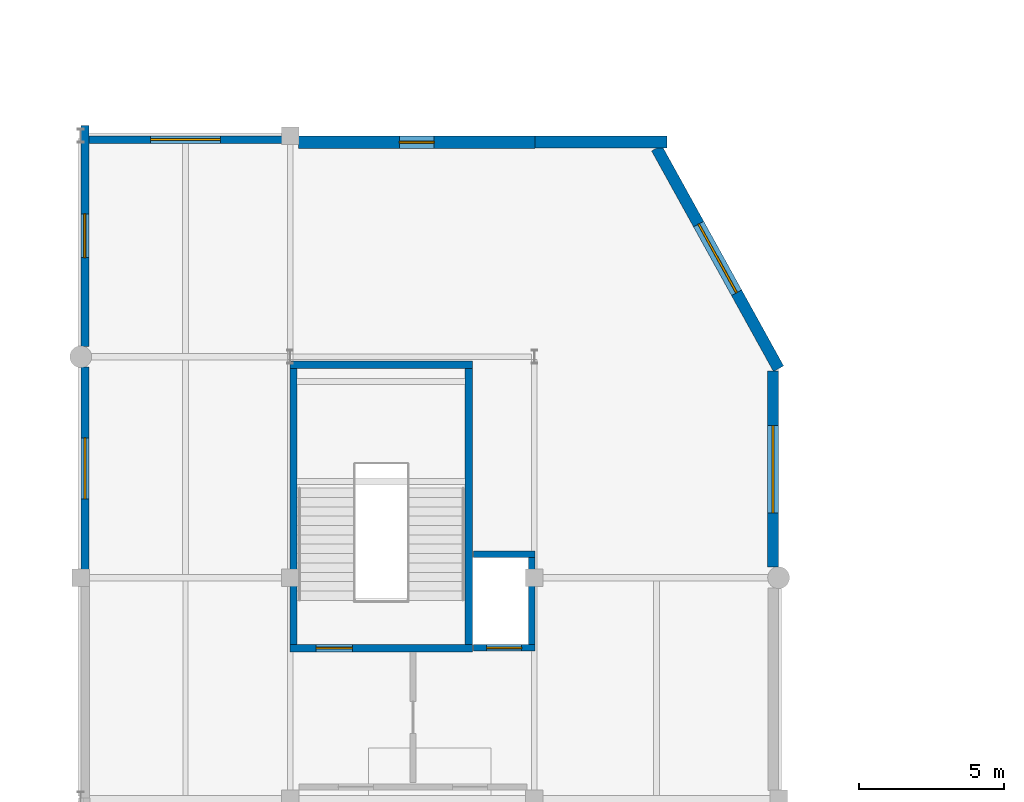
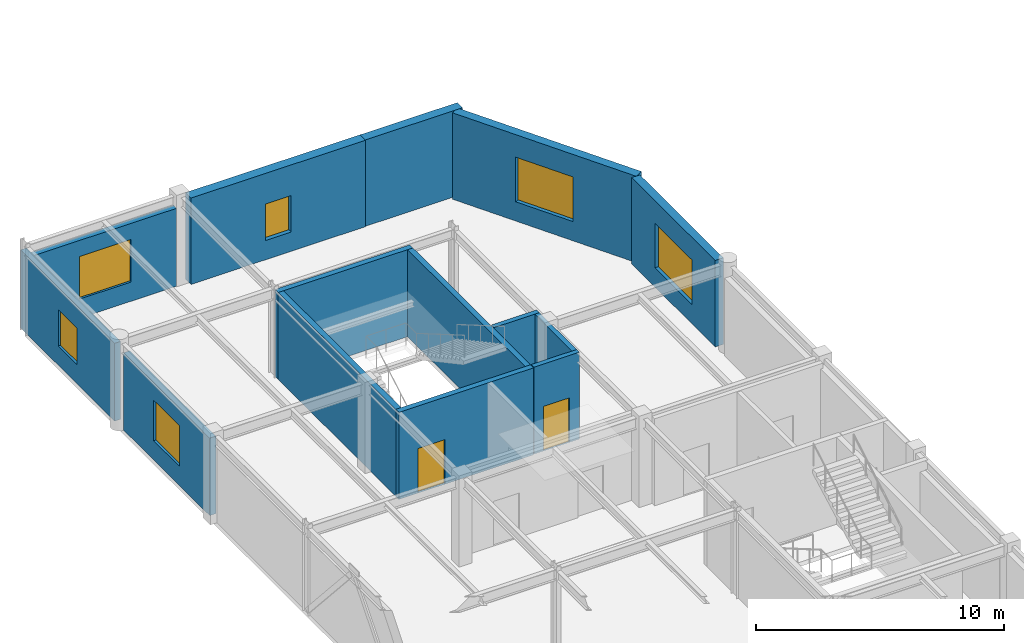
# One storey, part 22 of 28: 14 walls, 6 windows, 2 doors, 8 openings.
"""IFC4 building model written with IfcOpenShell, lengths in metres."""

from ifc_helpers import new_model, si_unit, direction, frame, frame_2d, origin, place, context, subcontext, project, spatial, rectangle, extrude, material, layer, layer_set, type_object, element, fill, save


model = new_model("IFC4")

# Units and contexts
model_context = context("Model", 3, precision=1e-05, world=origin(), true_north=direction((0.0, 1.0)))
body_context = subcontext(model_context, "Body", "Model", "MODEL_VIEW")
ifc_project = project(units=[si_unit("LENGTHUNIT", "METRE"), si_unit("AREAUNIT", "SQUARE_METRE"), si_unit("VOLUMEUNIT", "CUBIC_METRE"), si_unit("PLANEANGLEUNIT", "RADIAN"), si_unit("MASSUNIT", "GRAM", prefix="KILO")], contexts=[model_context])

# Site, building, storey
site_placement = place(None, origin())
site = spatial("IfcSite", under=ifc_project, at=site_placement, CompositionType="ELEMENT")
building_placement = place(site_placement, origin())
building = spatial("IfcBuilding", under=site, at=building_placement, Name="Xicomal Pleat Aquarium", CompositionType="ELEMENT")
storey_placement = place(building_placement, frame((0.0, 0.0, 15.300048828125)))
storey = spatial("IfcBuildingStorey", under=building, at=storey_placement, Name="L04", CompositionType="ELEMENT", Elevation=15.300048828125)

# Wall, opening, door
ifc_material_1 = material(Name="Concrete C40/50", Category="concrete")
ifc_layer_1 = layer(ifc_material_1, 0.219970703125)
ifc_layer_set_1 = layer_set([ifc_layer_1], Name="Concrete C40/50")
wall_type_1 = type_object("IfcWallType", Name="WAL-COR-220", PredefinedType="SHEAR", material=ifc_layer_set_1)
wall_1_placement = place(storey_placement, frame((16.5, 65.989990234375, 0.0), z_axis=(0.0, 0.0, 1.0), x_axis=(1.0, 0.0, 0.0)))
wall_1 = element("IfcWall", 1, at=wall_1_placement, inside=storey, type_object=wall_type_1, Name="L04 LF-03 lift shaft wall CW-L04-C3-LS", PredefinedType="SHEAR", context=body_context, shape_type="SweptSolid", body=[
    extrude(rectangle(XDim=2.1201171875, YDim=0.219970703125, at=frame_2d((1.06005859375, 0.0))), origin(), (0.0, 0.0, 1.0), 4.2900390625),
])
opening_1_placement = place(wall_1_placement, frame((0.4599609375, 0.0, 0.0)))
opening_1 = element("IfcOpeningElement", 2, at=opening_1_placement, cuts=wall_1, Name="Opening LD-03-L04", PredefinedType="OPENING", context=body_context, shape_type="SweptSolid", body=[
    extrude(rectangle(XDim=1.199951171875, YDim=2.199951171875, at=frame_2d((0.60009765625, 1.10009765625))), frame((0.0, 0.119873046875, 0.0), z_axis=(0.0, -1.0, 0.0), x_axis=(1.0, 0.0, 0.0)), (0.0, 0.0, 1.0), 0.239990234375),
])
ifc_material_2 = material(Name="Brushed stainless steel 304", Category="steel")
door_type_1 = type_object("IfcDoorType", Name="DOR-LD-1200x2200", OperationType="DOUBLE_DOOR_SLIDING", PredefinedType="DOOR", material=ifc_material_2)
door_1_placement = place(opening_1_placement, origin())
door_1 = element("IfcDoor", 3, at=door_1_placement, inside=storey, type_object=door_type_1, Name="L04 LF-03 sliding lift landing door", OperationType="DOUBLE_DOOR_SLIDING", OverallHeight=2.199951171875, OverallWidth=1.199951171875, PredefinedType="DOOR", context=body_context, shape_type="SweptSolid", body=[
    extrude(rectangle(XDim=1.199951171875, YDim=2.199951171875, at=frame_2d((0.60009765625, 1.10009765625))), frame((0.0, 0.02490234375, 0.0), z_axis=(0.0, -1.0, 0.0), x_axis=(1.0, 0.0, 0.0)), (0.0, 0.0, 1.0), 0.050048828125),
])
fill(opening_1, door_1)

# Walls
wall_2_placement = place(storey_placement, frame((16.5, 69.2099609375, 0.0), z_axis=(0.0, 0.0, 1.0), x_axis=(1.0, 0.0, 0.0)))
element("IfcWall", 4, at=wall_2_placement, inside=storey, type_object=wall_type_1, Name="L04 LF-03 lift shaft wall CW-L04-C3-LN", PredefinedType="SHEAR", context=body_context, shape_type="SweptSolid", body=[
    extrude(rectangle(XDim=2.1201171875, YDim=0.219970703125, at=frame_2d((1.06005859375, 0.0))), origin(), (0.0, 0.0, 1.0), 4.2900390625),
])
wall_3_placement = place(storey_placement, frame((18.510009765625, 66.10009765625, 0.0), z_axis=(0.0, 0.0, 1.0), x_axis=(0.0, 1.0, 0.0)))
element("IfcWall", 5, at=wall_3_placement, inside=storey, type_object=wall_type_1, Name="L04 LF-03 lift shaft wall CW-L04-C3-LE", PredefinedType="SHEAR", context=body_context, shape_type="SweptSolid", body=[
    extrude(rectangle(XDim=3.0, YDim=0.219970703125, at=frame_2d((1.5, 0.0))), origin(), (0.0, 0.0, 1.0), 4.2900390625),
])

# Wall, opening, door
ifc_material_3 = material(Name="Concrete C40/50", Category="concrete")
ifc_layer_2 = layer(ifc_material_3, 0.25)
ifc_layer_set_2 = layer_set([ifc_layer_2], Name="Concrete C40/50")
wall_type_2 = type_object("IfcWallType", Name="WAL-COR-250", PredefinedType="SHEAR", material=ifc_layer_set_2)
wall_4_placement = place(storey_placement, frame((10.18994140625, 65.97509765625, 0.0), z_axis=(0.0, 0.0, 1.0), x_axis=(1.0, 0.0, 0.0)))
wall_4 = element("IfcWall", 6, at=wall_4_placement, inside=storey, type_object=wall_type_2, Name="L04 CORE-3 stair shear wall CW-L04-C3-SS", PredefinedType="SHEAR", context=body_context, shape_type="SweptSolid", body=[
    extrude(rectangle(XDim=6.280029296875, YDim=0.25, at=frame_2d((3.14013671875, 0.0))), origin(), (0.0, 0.0, 1.0), 4.2900390625),
])
opening_2_placement = place(wall_4_placement, frame((0.89990234375, 0.0, 0.0)))
opening_2 = element("IfcOpeningElement", 7, at=opening_2_placement, cuts=wall_4, Name="Opening SD-03-L04", PredefinedType="OPENING", context=body_context, shape_type="SweptSolid", body=[
    extrude(rectangle(XDim=1.25, YDim=2.199951171875, at=frame_2d((0.625, 1.10009765625))), frame((0.0, 0.135009765625, 0.0), z_axis=(0.0, -1.0, 0.0), x_axis=(1.0, 0.0, 0.0)), (0.0, 0.0, 1.0), 0.27001953125),
])
ifc_material_4 = material(Name="Powder-coated steel fire door", Category="steel")
door_type_2 = type_object("IfcDoorType", Name="DOR-ST-1250x2200", OperationType="NOTDEFINED", PredefinedType="DOOR", material=ifc_material_4)
door_2_placement = place(opening_2_placement, origin())
door_2 = element("IfcDoor", 8, at=door_2_placement, inside=storey, type_object=door_type_2, Name="L04 ST-03 protected stair door", OperationType="SINGLE_SWING_LEFT", OverallHeight=2.199951171875, OverallWidth=1.25, PredefinedType="DOOR", context=body_context, shape_type="SweptSolid", body=[
    extrude(rectangle(XDim=1.25, YDim=2.199951171875, at=frame_2d((0.625, 1.10009765625))), frame((0.0, 0.02490234375, 0.0), z_axis=(0.0, -1.0, 0.0), x_axis=(1.0, 0.0, 0.0)), (0.0, 0.0, 1.0), 0.050048828125),
])
fill(opening_2, door_2)

# Walls
wall_5_placement = place(storey_placement, frame((10.18994140625, 75.72509765625, 0.0), z_axis=(0.0, 0.0, 1.0), x_axis=(1.0, 0.0, 0.0)))
element("IfcWall", 9, at=wall_5_placement, inside=storey, type_object=wall_type_2, Name="L04 CORE-3 stair shear wall CW-L04-C3-SN", PredefinedType="SHEAR", context=body_context, shape_type="SweptSolid", body=[
    extrude(rectangle(XDim=6.280029296875, YDim=0.25, at=frame_2d((3.14013671875, 0.0))), origin(), (0.0, 0.0, 1.0), 4.2900390625),
])
for number, where, z_axis, x_axis, name in (
    (10, (10.31494140625, 66.10009765625, 0.0), (0.0, 0.0, 1.0), (0.0, 1.0, 0.0), "L04 CORE-3 stair shear wall CW-L04-C3-SW"),
    (11, (16.344970703125, 66.10009765625, 0.0), (0.0, 0.0, 1.0), (0.0, 1.0, 0.0), "L04 CORE-3 stair shear wall CW-L04-C3-SE"),
):
    element("IfcWall", number, at=place(storey_placement, frame(where, z_axis=z_axis, x_axis=x_axis)), inside=storey, type_object=wall_type_2, Name=name, PredefinedType="SHEAR", context=body_context, shape_type="SweptSolid", body=[
        extrude(rectangle(XDim=9.5, YDim=0.25, at=frame_2d((4.75, 0.0))), origin(), (0.0, 0.0, 1.0), 4.2900390625),
    ])

# Wall, opening, window
ifc_material_5 = material(Name="Volcanic basalt recinto masonry and concrete C40/50", Category="masonry")
ifc_layer_3 = layer(ifc_material_5, 0.3798828125)
ifc_layer_set_3 = layer_set([ifc_layer_3], Name="Volcanic basalt recinto masonry and concrete C40/50")
wall_type_3 = type_object("IfcWallType", Name="WAL-EXT-BAS-380", PredefinedType="SOLIDWALL", material=ifc_layer_set_3)
wall_6_placement = place(storey_placement, frame((26.81005859375, 75.506103515625, 0.0), z_axis=(0.0, 0.0, 1.0), x_axis=(0.0, -1.0, 0.0)))
wall_6 = element("IfcWall", 12, at=wall_6_placement, inside=storey, type_object=wall_type_3, Name="L04 exterior basalt-precast wall EW-L04-051B", PredefinedType="SOLIDWALL", context=body_context, shape_type="SweptSolid", body=[
    extrude(rectangle(XDim=6.74609375, YDim=0.3798828125, at=frame_2d((3.373046875, 0.0))), origin(), (0.0, 0.0, 1.0), 4.260009765625),
])
opening_3_placement = place(wall_6_placement, frame((1.873046875, 0.0, 0.949951171875)))
opening_3 = element("IfcOpeningElement", 13, at=opening_3_placement, cuts=wall_6, Name="Opening WN-08", PredefinedType="OPENING", context=body_context, shape_type="SweptSolid", body=[
    extrude(rectangle(XDim=3.0, YDim=2.199951171875, at=frame_2d((1.5, 1.10009765625))), frame((0.0, 0.199951171875, 0.0), z_axis=(0.0, -1.0, 0.0), x_axis=(1.0, 0.0, 0.0)), (0.0, 0.0, 1.0), 0.39990234375),
])
ifc_material_6 = material(Name="Insulated low-E laminated glass", Category="glass")
window_type_1 = type_object("IfcWindowType", Name="WIN-EXT-3000x2200", PartitioningType="DOUBLE_PANEL_VERTICAL", PredefinedType="WINDOW", material=ifc_material_6)
window_1_placement = place(opening_3_placement, origin())
window_1 = element("IfcWindow", 14, at=window_1_placement, inside=storey, type_object=window_type_1, Name="L04 thermally broken low-E window 79", OverallHeight=2.199951171875, OverallWidth=3.0, PartitioningType="SINGLE_PANEL", PredefinedType="WINDOW", context=body_context, shape_type="SweptSolid", body=[
    extrude(rectangle(XDim=3.0, YDim=2.199951171875, at=frame_2d((1.5, 1.10009765625))), frame((0.0, 0.030029296875, 0.0), z_axis=(0.0, -1.0, 0.0), x_axis=(1.0, 0.0, 0.0)), (0.0, 0.0, 1.0), 0.06005859375),
])
fill(opening_3, window_1)

ifc_material_7 = material(Name="Volcanic basalt recinto masonry and concrete C40/50", Category="masonry")
ifc_layer_4 = layer(ifc_material_7, 0.39990234375)
ifc_layer_set_4 = layer_set([ifc_layer_4], Name="Volcanic basalt recinto masonry and concrete C40/50")
wall_type_4 = type_object("IfcWallType", Name="WAL-EXT-BAS-400", PredefinedType="SOLIDWALL", material=ifc_layer_set_4)
wall_7_placement = place(storey_placement, frame((22.805908203125, 83.175048828125, 0.0), z_axis=(0.0, 0.0, 1.0), x_axis=(0.483704847277, -0.8752311813, 0.0)))
wall_7 = element("IfcWall", 15, at=wall_7_placement, inside=storey, type_object=wall_type_4, Name="L04 exterior basalt-precast wall EW-L04-050B", PredefinedType="SOLIDWALL", context=body_context, shape_type="SweptSolid", body=[
    extrude(rectangle(XDim=8.668701171875, YDim=0.39990234375, at=frame_2d((4.33447265625, 0.0))), origin(), (0.0, 0.0, 1.0), 4.260009765625),
])
opening_4_placement = place(wall_7_placement, frame((2.98388671875, 0.0, 0.949951171875)))
opening_4 = element("IfcOpeningElement", 16, at=opening_4_placement, cuts=wall_7, Name="Opening WN-07", PredefinedType="OPENING", context=body_context, shape_type="SweptSolid", body=[
    extrude(rectangle(XDim=2.699951171875, YDim=2.199951171875, at=frame_2d((1.35009765625, 1.10009765625))), frame((0.0, 0.2099609375, 0.0), z_axis=(0.0, -1.0, 0.0), x_axis=(1.0, 0.0, 0.0)), (0.0, 0.0, 1.0), 0.419921875),
])
ifc_material_8 = material(Name="Insulated low-E laminated glass", Category="glass")
window_type_2 = type_object("IfcWindowType", Name="WIN-EXT-2700x2200", PartitioningType="DOUBLE_PANEL_VERTICAL", PredefinedType="WINDOW", material=ifc_material_8)
window_2_placement = place(opening_4_placement, origin())
window_2 = element("IfcWindow", 17, at=window_2_placement, inside=storey, type_object=window_type_2, Name="L04 thermally broken low-E window 78", OverallHeight=2.199951171875, OverallWidth=2.699951171875, PartitioningType="SINGLE_PANEL", PredefinedType="WINDOW", context=body_context, shape_type="SweptSolid", body=[
    extrude(rectangle(XDim=2.699951171875, YDim=2.199951171875, at=frame_2d((1.35009765625, 1.10009765625))), frame((0.0, 0.030029296875, 0.0), z_axis=(0.0, -1.0, 0.0), x_axis=(1.0, 0.0, 0.0)), (0.0, 0.0, 1.0), 0.06005859375),
])
fill(opening_4, window_2)

# Wall
ifc_material_9 = material(Name="Volcanic basalt recinto masonry and concrete C40/50", Category="masonry")
ifc_layer_5 = layer(ifc_material_9, 0.419921875)
ifc_layer_set_5 = layer_set([ifc_layer_5], Name="Volcanic basalt recinto masonry and concrete C40/50")
wall_type_5 = type_object("IfcWallType", Name="WAL-EXT-BAS-420", PredefinedType="SOLIDWALL", material=ifc_layer_set_5)
wall_8_placement = place(storey_placement, frame((18.6201171875, 83.389892578125, 0.0), z_axis=(0.0, 0.0, 1.0), x_axis=(1.0, 0.0, 0.0)))
element("IfcWall", 18, at=wall_8_placement, inside=storey, type_object=wall_type_5, Name="L04 exterior basalt-precast wall EW-L04-049", PredefinedType="SOLIDWALL", context=body_context, shape_type="SweptSolid", body=[
    extrude(rectangle(XDim=4.539794921875, YDim=0.419921875, at=frame_2d((2.27001953125, 0.0))), origin(), (0.0, 0.0, 1.0), 4.260009765625),
])

# Wall, opening, window
ifc_material_10 = material(Name="Volcanic basalt recinto masonry and concrete C40/50", Category="masonry")
ifc_layer_6 = layer(ifc_material_10, 0.445068359375)
ifc_layer_set_6 = layer_set([ifc_layer_6], Name="Volcanic basalt recinto masonry and concrete C40/50")
wall_type_6 = type_object("IfcWallType", Name="WAL-EXT-BAS-445", PredefinedType="SOLIDWALL", material=ifc_layer_set_6)
wall_9_placement = place(storey_placement, frame((10.485107421875, 83.376953125, 0.0), z_axis=(0.0, 0.0, 1.0), x_axis=(1.0, 0.0, 0.0)))
wall_9 = element("IfcWall", 19, at=wall_9_placement, inside=storey, type_object=wall_type_6, Name="L04 exterior basalt-precast wall EW-L04-048", PredefinedType="SOLIDWALL", context=body_context, shape_type="SweptSolid", body=[
    extrude(rectangle(XDim=8.135009765625, YDim=0.445068359375, at=frame_2d((4.0673828125, 0.0))), origin(), (0.0, 0.0, 1.0), 4.260009765625),
])
opening_5_placement = place(wall_9_placement, frame((3.468017578125, 0.0, 0.949951171875)))
opening_5 = element("IfcOpeningElement", 20, at=opening_5_placement, cuts=wall_9, Name="Opening WN-01", PredefinedType="OPENING", context=body_context, shape_type="SweptSolid", body=[
    extrude(rectangle(XDim=1.199951171875, YDim=1.800048828125, at=frame_2d((0.60009765625, 0.89990234375))), frame((0.0, 0.232421875, 0.0), z_axis=(0.0, -1.0, 0.0), x_axis=(1.0, 0.0, 0.0)), (0.0, 0.0, 1.0), 0.465087890625),
])
ifc_material_11 = material(Name="Insulated low-E laminated glass", Category="glass")
window_type_3 = type_object("IfcWindowType", Name="WIN-EXT-1200x1800", PartitioningType="SINGLE_PANEL", PredefinedType="WINDOW", material=ifc_material_11)
window_3_placement = place(opening_5_placement, origin())
window_3 = element("IfcWindow", 21, at=window_3_placement, inside=storey, type_object=window_type_3, Name="L04 thermally broken low-E window 77", OverallHeight=1.800048828125, OverallWidth=1.199951171875, PartitioningType="SINGLE_PANEL", PredefinedType="WINDOW", context=body_context, shape_type="SweptSolid", body=[
    extrude(rectangle(XDim=1.199951171875, YDim=1.800048828125, at=frame_2d((0.60009765625, 0.89990234375))), frame((0.0, 0.030029296875, 0.0), z_axis=(0.0, -1.0, 0.0), x_axis=(1.0, 0.0, 0.0)), (0.0, 0.0, 1.0), 0.06005859375),
])
fill(opening_5, window_3)

ifc_material_12 = material(Name="Precast concrete C40/50", Category="concrete")
ifc_layer_7 = layer(ifc_material_12, 0.260009765625)
ifc_layer_set_7 = layer_set([ifc_layer_7], Name="Precast concrete C40/50")
wall_type_7 = type_object("IfcWallType", Name="WAL-EXT-PRC-260", PredefinedType="SOLIDWALL", material=ifc_layer_set_7)
wall_10_placement = place(storey_placement, frame((3.284912109375, 83.469970703125, 0.0), z_axis=(0.0, 0.0, 1.0), x_axis=(1.0, 0.0, 0.0)))
wall_10 = element("IfcWall", 22, at=wall_10_placement, inside=storey, type_object=wall_type_7, Name="L04 exterior basalt-precast wall EW-L04-047B", PredefinedType="SOLIDWALL", context=body_context, shape_type="SweptSolid", body=[
    extrude(rectangle(XDim=6.630126953125, YDim=0.260009765625, at=frame_2d((3.31494140625, 0.0))), origin(), (0.0, 0.0, 1.0), 3.841064453125),
])
opening_6_placement = place(wall_10_placement, frame((2.114990234375, 0.0, 0.949951171875)))
opening_6 = element("IfcOpeningElement", 23, at=opening_6_placement, cuts=wall_10, Name="Opening WN-05", PredefinedType="OPENING", context=body_context, shape_type="SweptSolid", body=[
    extrude(rectangle(XDim=2.39990234375, YDim=2.10009765625, at=frame_2d((1.199951171875, 1.050048828125))), frame((0.0, 0.139892578125, 0.0), z_axis=(0.0, -1.0, 0.0), x_axis=(1.0, 0.0, 0.0)), (0.0, 0.0, 1.0), 0.280029296875),
])
ifc_material_13 = material(Name="Insulated low-E laminated glass", Category="glass")
window_type_4 = type_object("IfcWindowType", Name="WIN-EXT-2400x2100", PartitioningType="DOUBLE_PANEL_VERTICAL", PredefinedType="WINDOW", material=ifc_material_13)
window_4_placement = place(opening_6_placement, origin())
window_4 = element("IfcWindow", 24, at=window_4_placement, inside=storey, type_object=window_type_4, Name="L04 thermally broken low-E window 76", OverallHeight=2.10009765625, OverallWidth=2.39990234375, PartitioningType="SINGLE_PANEL", PredefinedType="WINDOW", context=body_context, shape_type="SweptSolid", body=[
    extrude(rectangle(XDim=2.39990234375, YDim=2.10009765625, at=frame_2d((1.199951171875, 1.050048828125))), frame((0.0, 0.030029296875, 0.0), z_axis=(0.0, -1.0, 0.0), x_axis=(1.0, 0.0, 0.0)), (0.0, 0.0, 1.0), 0.06005859375),
])
fill(opening_6, window_4)

ifc_material_14 = material(Name="Precast concrete C40/50", Category="concrete")
ifc_layer_8 = layer(ifc_material_14, 0.280029296875)
ifc_layer_set_8 = layer_set([ifc_layer_8], Name="Precast concrete C40/50")
wall_type_8 = type_object("IfcWallType", Name="WAL-EXT-PRC-280", PredefinedType="SOLIDWALL", material=ifc_layer_set_8)
wall_11_placement = place(storey_placement, frame((3.139892578125, 76.360107421875, 0.0), z_axis=(0.0, 0.0, 1.0), x_axis=(0.0, 1.0, 0.0)))
wall_11 = element("IfcWall", 25, at=wall_11_placement, inside=storey, type_object=wall_type_8, Name="L04 exterior basalt-precast wall EW-L04-046", PredefinedType="SOLIDWALL", context=body_context, shape_type="SweptSolid", body=[
    extrude(rectangle(XDim=7.599853515625, YDim=0.280029296875, at=frame_2d((3.7998046875, 0.0))), origin(), (0.0, 0.0, 1.0), 3.841064453125),
])
opening_7_placement = place(wall_11_placement, frame((3.050048828125, 0.0, 0.949951171875)))
opening_7 = element("IfcOpeningElement", 26, at=opening_7_placement, cuts=wall_11, Name="Opening WN-02", PredefinedType="OPENING", context=body_context, shape_type="SweptSolid", body=[
    extrude(rectangle(XDim=1.5, YDim=1.800048828125, at=frame_2d((0.75, 0.89990234375))), frame((0.0, 0.14990234375, 0.0), z_axis=(0.0, -1.0, 0.0), x_axis=(1.0, 0.0, 0.0)), (0.0, 0.0, 1.0), 0.300048828125),
])
ifc_material_15 = material(Name="Insulated low-E laminated glass", Category="glass")
window_type_5 = type_object("IfcWindowType", Name="WIN-EXT-1500x1800", PartitioningType="SINGLE_PANEL", PredefinedType="WINDOW", material=ifc_material_15)
window_5_placement = place(opening_7_placement, origin())
window_5 = element("IfcWindow", 27, at=window_5_placement, inside=storey, type_object=window_type_5, Name="L04 thermally broken low-E window 75", OverallHeight=1.800048828125, OverallWidth=1.5, PartitioningType="SINGLE_PANEL", PredefinedType="WINDOW", context=body_context, shape_type="SweptSolid", body=[
    extrude(rectangle(XDim=1.5, YDim=1.800048828125, at=frame_2d((0.75, 0.89990234375))), frame((0.0, 0.030029296875, 0.0), z_axis=(0.0, -1.0, 0.0), x_axis=(1.0, 0.0, 0.0)), (0.0, 0.0, 1.0), 0.06005859375),
])
fill(opening_7, window_5)

ifc_material_16 = material(Name="Precast concrete C40/50", Category="concrete")
ifc_layer_9 = layer(ifc_material_16, 0.2900390625)
ifc_layer_set_9 = layer_set([ifc_layer_9], Name="Precast concrete C40/50")
wall_type_9 = type_object("IfcWallType", Name="WAL-EXT-PRC-290", PredefinedType="SOLIDWALL", material=ifc_layer_set_9)
wall_12_placement = place(storey_placement, frame((3.14501953125, 68.68505859375, 0.0), z_axis=(0.0, 0.0, 1.0), x_axis=(0.0, 1.0, 0.0)))
wall_12 = element("IfcWall", 28, at=wall_12_placement, inside=storey, type_object=wall_type_9, Name="L04 exterior basalt-precast wall EW-L04-045", PredefinedType="SOLIDWALL", context=body_context, shape_type="SweptSolid", body=[
    extrude(rectangle(XDim=6.954833984375, YDim=0.2900390625, at=frame_2d((3.4775390625, 0.0))), origin(), (0.0, 0.0, 1.0), 3.81591796875),
])
opening_8_placement = place(wall_12_placement, frame((2.427001953125, 0.0, 0.949951171875)))
opening_8 = element("IfcOpeningElement", 29, at=opening_8_placement, cuts=wall_12, Name="Opening WN-04", PredefinedType="OPENING", context=body_context, shape_type="SweptSolid", body=[
    extrude(rectangle(XDim=2.10009765625, YDim=2.0, at=frame_2d((1.050048828125, 1.0))), frame((0.0, 0.155029296875, 0.0), z_axis=(0.0, -1.0, 0.0), x_axis=(1.0, 0.0, 0.0)), (0.0, 0.0, 1.0), 0.31005859375),
])
ifc_material_17 = material(Name="Insulated low-E laminated glass", Category="glass")
window_type_6 = type_object("IfcWindowType", Name="WIN-EXT-2100x2000", PartitioningType="DOUBLE_PANEL_VERTICAL", PredefinedType="WINDOW", material=ifc_material_17)
window_6_placement = place(opening_8_placement, origin())
window_6 = element("IfcWindow", 30, at=window_6_placement, inside=storey, type_object=window_type_6, Name="L04 thermally broken low-E window 74", OverallHeight=2.0, OverallWidth=2.10009765625, PartitioningType="SINGLE_PANEL", PredefinedType="WINDOW", context=body_context, shape_type="SweptSolid", body=[
    extrude(rectangle(XDim=2.10009765625, YDim=2.0, at=frame_2d((1.050048828125, 1.0))), frame((0.0, 0.030029296875, 0.0), z_axis=(0.0, -1.0, 0.0), x_axis=(1.0, 0.0, 0.0)), (0.0, 0.0, 1.0), 0.06005859375),
])
fill(opening_8, window_6)

save(model, "model.ifc")
